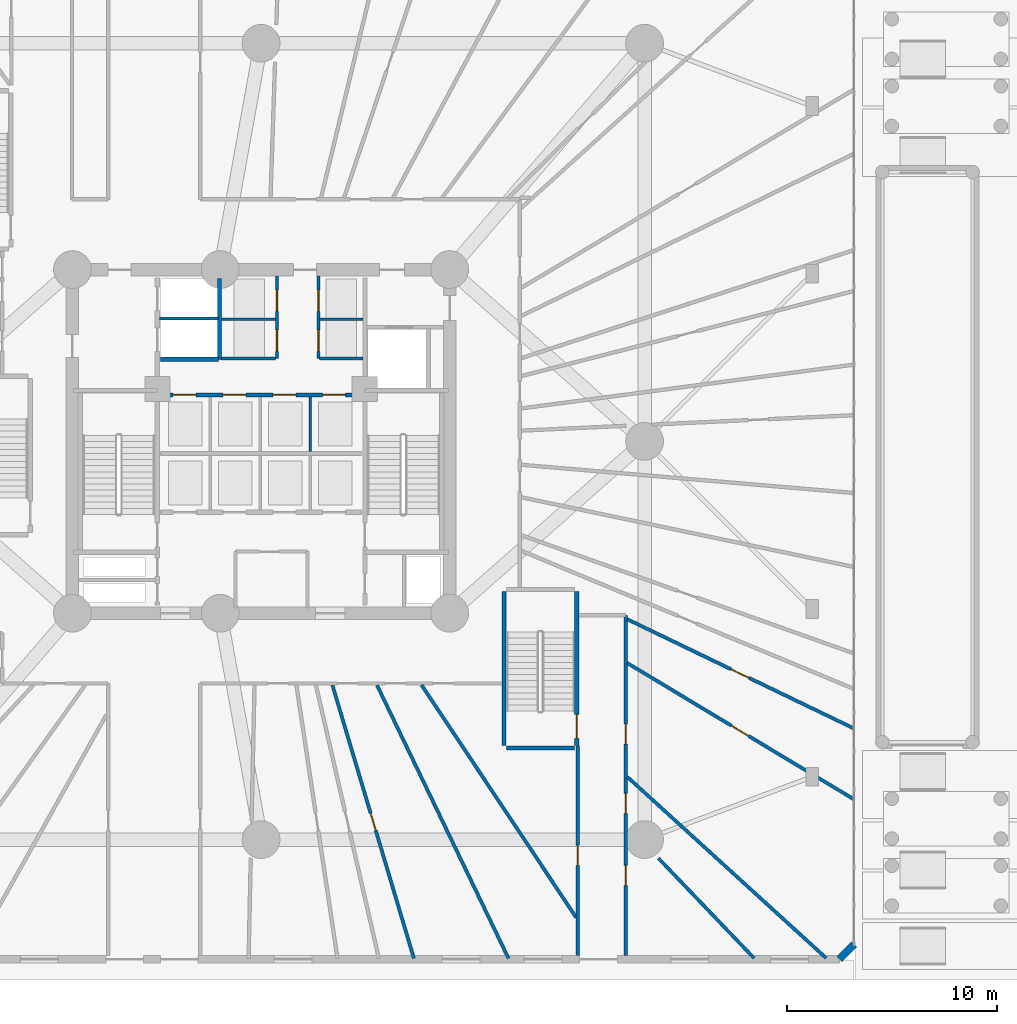
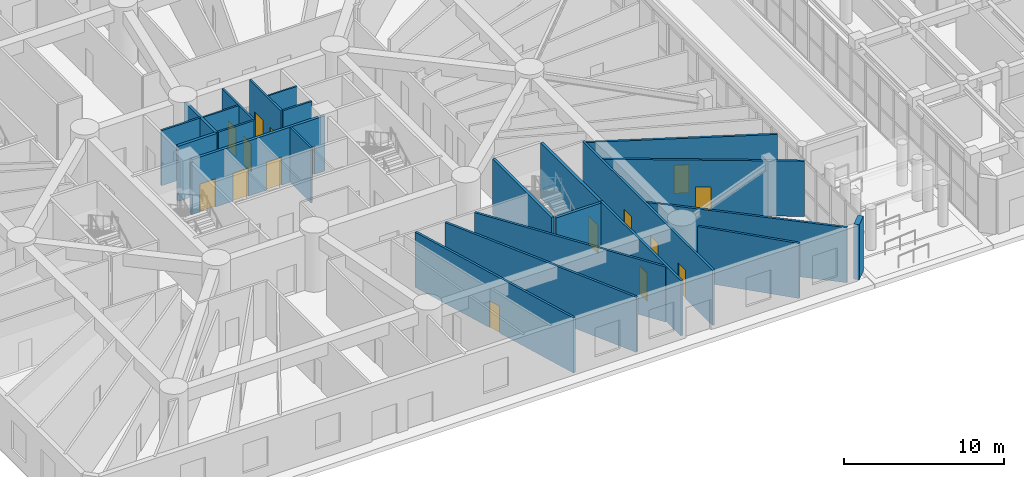
# One storey, part 16 of 30: 24 walls, 16 doors, 16 openings.
"""IFC4 building model written with IfcOpenShell, lengths in metres."""

from ifc_helpers import new_model, si_unit, direction, frame, frame_2d, origin, origin_with_axes, place, context, subcontext, project, spatial, rectangle, extrude, source, transform, mapped, material, layer, layer_set, type_object, element, fill, save


model = new_model("IFC4")

# Units and contexts
model_context = context("Model", 3, precision=1e-05, world=origin(), true_north=direction((0.0, 1.0)))
body_context = subcontext(model_context, "Body", "Model", "MODEL_VIEW")
ifc_project = project(units=[si_unit("LENGTHUNIT", "METRE"), si_unit("AREAUNIT", "SQUARE_METRE"), si_unit("VOLUMEUNIT", "CUBIC_METRE"), si_unit("PLANEANGLEUNIT", "RADIAN"), si_unit("MASSUNIT", "GRAM", prefix="KILO")], contexts=[model_context])

# Site, building, storey
site_placement = place(None, origin())
site = spatial("IfcSite", under=ifc_project, at=site_placement, CompositionType="ELEMENT")
building_placement = place(site_placement, origin())
building = spatial("IfcBuilding", under=site, at=building_placement, Name="Karkom Vertical University and Central Library", CompositionType="ELEMENT")
storey_placement = place(building_placement, origin())
storey = spatial("IfcBuildingStorey", under=building, at=storey_placement, Name="L00", CompositionType="ELEMENT", Elevation=0.0)

# Walls
ifc_material_1 = material(Name="Brick masonry 360mm insulated cavity", Category="masonry")
ifc_layer_1 = layer(ifc_material_1, 0.360107421875)
ifc_layer_set_1 = layer_set([ifc_layer_1], Name="Brick masonry 360mm insulated cavity")
wall_type_1 = type_object("IfcWallType", Name="ENV-WL-BRK-360", PredefinedType="SOLIDWALL", material=ifc_layer_set_1)
wall_1_placement = place(storey_placement, frame((56.10009765625, 1.800048828125, 0.0), z_axis=(0.0, 0.0, 1.0), x_axis=(0.707106781187, 0.707106781187, 0.0)))
element("IfcWall", 1, at=wall_1_placement, inside=storey, type_object=wall_type_1, Name="Level 00 POD Terracotta Brick Facade Wall 02", PredefinedType="SOLIDWALL", context=body_context, shape_type="SweptSolid", body=[
    extrude(rectangle(XDim=0.989990234375, YDim=0.360107421875, at=frame_2d((0.4951171875, 0.0))), origin(), (0.0, 0.0, 1.0), 4.199951171875),
])
ifc_material_2 = material(Name="Insulated metal-stud drywall 160mm", Category="gypsum")
ifc_layer_2 = layer(ifc_material_2, 0.159912109375)
ifc_layer_set_2 = layer_set([ifc_layer_2], Name="Insulated metal-stud drywall 160mm")
wall_type_2 = type_object("IfcWallType", Name="INT-WL-COR-160", PredefinedType="PARTITIONING", material=ifc_layer_set_2)
wall_2_placement = place(storey_placement, frame((34.032470703125, 14.867919921875, 0.0), z_axis=(0.0, 0.0, 1.0), x_axis=(0.433724291506, -0.901045636445, 0.0)))
element("IfcWall", 2, at=wall_2_placement, inside=storey, type_object=wall_type_2, Name="Level 00 Interior Partition Wall L00-PODW-15-16-1", PredefinedType="PARTITIONING", context=body_context, shape_type="SweptSolid", body=[
    extrude(rectangle(XDim=14.468017578125, YDim=0.159912109375, at=frame_2d((7.23388671875, 0.0))), origin(), (0.0, 0.0, 1.0), 4.199951171875),
])

# Wall, opening, door
wall_3_placement = place(storey_placement, frame((31.90576171875, 14.867919921875, 0.0), z_axis=(0.0, 0.0, 1.0), x_axis=(0.285757427195, -0.958301984138, 0.0)))
wall_3 = element("IfcWall", 3, at=wall_3_placement, inside=storey, type_object=wall_type_2, Name="Level 00 Interior Partition Wall L00-PODW-14-15-1", PredefinedType="PARTITIONING", context=body_context, shape_type="SweptSolid", body=[
    extrude(rectangle(XDim=13.607421875, YDim=0.159912109375, at=frame_2d((6.8037109375, 0.0))), origin(), (0.0, 0.0, 1.0), 4.199951171875),
])
opening_1_placement = place(wall_3_placement, frame((6.373779296875, 0.0, 0.0)))
opening_1 = element("IfcOpeningElement", 4, at=opening_1_placement, cuts=wall_3, Name="Opening FD-BTH2", PredefinedType="OPENING", context=body_context, shape_type="SweptSolid", body=[
    extrude(rectangle(XDim=0.860107421875, YDim=2.0400390625, at=frame_2d((0.43017578125, 1.02001953125))), frame((0.0, 0.08984375, 0.0), z_axis=(0.0, -1.0, 0.0), x_axis=(1.0, 0.0, 0.0)), (0.0, 0.0, 1.0), 0.179931640625),
])
ifc_material_3 = material(Name="Fire-rated moisture-resistant oak door", Category="wood")
door_type_1 = type_object("IfcDoorType", Name="INT-DR-FBTH2", OperationType="NOTDEFINED", PredefinedType="DOOR", material=ifc_material_3)
shared_shape_1 = source(origin_with_axes(), body_context, "Body", "SweptSolid", [
    extrude(rectangle(XDim=0.860107421875, YDim=2.0400390625, at=frame_2d((0.43017578125, 1.02001953125))), frame((0.0, 0.02490234375, 0.0), z_axis=(0.0, -1.0, 0.0), x_axis=(1.0, 0.0, 0.0)), (0.0, 0.0, 1.0), 0.050048828125),
])
door_1_placement = place(opening_1_placement, origin())
door_1 = element("IfcDoor", 5, at=door_1_placement, inside=storey, type_object=door_type_1, Name="Level 00 Graduate Studies Office Entry Door", OperationType="SINGLE_SWING_LEFT", OverallHeight=2.0400390625, OverallWidth=0.860107421875, PredefinedType="DOOR", context=body_context, shape_type="MappedRepresentation", body=[
    mapped(shared_shape_1, transform((0.0, 0.0, 0.0), scale=1.0)),
])
fill(opening_1, door_1)

# Walls
wall_4_placement = place(storey_placement, frame((36.15576171875, 14.880615234375, 0.0), z_axis=(0.0, 0.0, 1.0), x_axis=(0.553761322164, -0.832675445822, 0.0)))
element("IfcWall", 6, at=wall_4_placement, inside=storey, type_object=wall_type_2, Name="Level 00 Interior Partition Wall L00-PODW-16-17-1", PredefinedType="PARTITIONING", context=body_context, shape_type="SweptSolid", body=[
    extrude(rectangle(XDim=13.326904296875, YDim=0.159912109375, at=frame_2d((6.66357421875, 0.0))), origin(), (0.0, 0.0, 1.0), 4.199951171875),
])
wall_5_placement = place(storey_placement, frame((45.98193359375, 10.488037109375, 0.0), z_axis=(0.0, 0.0, 1.0), x_axis=(0.73914139053, -0.673550298646, 0.0)))
element("IfcWall", 7, at=wall_5_placement, inside=storey, type_object=wall_type_2, Name="Level 00 Interior Partition Wall L00-PODW-19-20-1", PredefinedType="PARTITIONING", context=body_context, shape_type="SweptSolid", body=[
    extrude(rectangle(XDim=12.830322265625, YDim=0.159912109375, at=frame_2d((6.4150390625, 0.0))), origin(), (0.0, 0.0, 1.0), 4.199951171875),
])

# Wall, opening, door
wall_6_placement = place(storey_placement, frame((45.968994140625, 15.927490234375, 0.0), z_axis=(0.0, 0.0, 1.0), x_axis=(0.857034319892, -0.515259327453, 0.0)))
wall_6 = element("IfcWall", 8, at=wall_6_placement, inside=storey, type_object=wall_type_2, Name="Level 00 Interior Partition Wall L00-PODW-20-21-1", PredefinedType="PARTITIONING", context=body_context, shape_type="SweptSolid", body=[
    extrude(rectangle(XDim=12.597900390625, YDim=0.159912109375, at=frame_2d((6.298828125, 0.0))), origin(), (0.0, 0.0, 1.0), 4.199951171875),
])
opening_2_placement = place(wall_6_placement, frame((5.798828125, 0.0, 0.0)))
opening_2 = element("IfcOpeningElement", 9, at=opening_2_placement, cuts=wall_6, Name="Opening FD-RM2", PredefinedType="OPENING", context=body_context, shape_type="SweptSolid", body=[
    extrude(rectangle(XDim=0.9599609375, YDim=2.14990234375, at=frame_2d((0.47998046875, 1.074951171875))), frame((0.0, 0.08984375, 0.0), z_axis=(0.0, -1.0, 0.0), x_axis=(1.0, 0.0, 0.0)), (0.0, 0.0, 1.0), 0.179931640625),
])
ifc_material_4 = material(Name="Fire-rated oak veneer door", Category="wood")
door_type_2 = type_object("IfcDoorType", Name="INT-DR-FRM2", OperationType="NOTDEFINED", PredefinedType="DOOR", material=ifc_material_4)
shared_shape_2 = source(origin_with_axes(), body_context, "Body", "SweptSolid", [
    extrude(rectangle(XDim=0.9599609375, YDim=2.14990234375, at=frame_2d((0.47998046875, 1.074951171875))), frame((0.0, 0.02490234375, 0.0), z_axis=(0.0, -1.0, 0.0), x_axis=(1.0, 0.0, 0.0)), (0.0, 0.0, 1.0), 0.050048828125),
])
door_2_placement = place(opening_2_placement, origin())
door_2 = element("IfcDoor", 10, at=door_2_placement, inside=storey, type_object=door_type_2, Name="Level 00 Room Entry Door 820", OperationType="SINGLE_SWING_LEFT", OverallHeight=2.14990234375, OverallWidth=0.9599609375, PredefinedType="DOOR", context=body_context, shape_type="MappedRepresentation", body=[
    mapped(shared_shape_2, transform((0.0, 0.0, 0.0), scale=1.0)),
])
fill(opening_2, door_2)

wall_7_placement = place(storey_placement, frame((45.968505859375, 18.016845703125, 0.0), z_axis=(0.0, 0.0, 1.0), x_axis=(0.900884595161, -0.434058689813, 0.0)))
wall_7 = element("IfcWall", 11, at=wall_7_placement, inside=storey, type_object=wall_type_2, Name="Level 00 Interior Partition Wall L00-PODW-21-22-1", PredefinedType="PARTITIONING", context=body_context, shape_type="SweptSolid", body=[
    extrude(rectangle(XDim=11.98828125, YDim=0.159912109375, at=frame_2d((5.994140625, 0.0))), origin(), (0.0, 0.0, 1.0), 4.199951171875),
])
opening_3_placement = place(wall_7_placement, frame((5.494140625, 0.0, 0.0)))
opening_3 = element("IfcOpeningElement", 12, at=opening_3_placement, cuts=wall_7, Name="Opening FD-RM2", PredefinedType="OPENING", context=body_context, shape_type="SweptSolid", body=[
    extrude(rectangle(XDim=0.9599609375, YDim=2.14990234375, at=frame_2d((0.47998046875, 1.074951171875))), frame((0.0, 0.08984375, 0.0), z_axis=(0.0, -1.0, 0.0), x_axis=(1.0, 0.0, 0.0)), (0.0, 0.0, 1.0), 0.179931640625),
])
door_3_placement = place(opening_3_placement, origin())
door_3 = element("IfcDoor", 13, at=door_3_placement, inside=storey, type_object=door_type_2, Name="Level 00 Room Entry Door 821", OperationType="SINGLE_SWING_RIGHT", OverallHeight=2.14990234375, OverallWidth=0.9599609375, PredefinedType="DOOR", context=body_context, shape_type="MappedRepresentation", body=[
    mapped(shared_shape_2, transform((0.0, 0.0, 0.0), scale=1.0)),
])
fill(opening_3, door_3)

# Wall
wall_8_placement = place(storey_placement, frame((47.4599609375, 6.610107421875, 0.0), z_axis=(0.0, 0.0, 1.0), x_axis=(0.69155014519, -0.722328454851, 0.0)))
element("IfcWall", 14, at=wall_8_placement, inside=storey, type_object=wall_type_2, Name="Level 00 Interior Partition Wall L00-PODW-18-19-1", PredefinedType="PARTITIONING", context=body_context, shape_type="SweptSolid", body=[
    extrude(rectangle(XDim=6.599609375, YDim=0.159912109375, at=frame_2d((3.2998046875, 0.0))), origin(), (0.0, 0.0, 1.0), 4.199951171875),
])

# Wall, openings, doors
ifc_layer_3 = layer(ifc_material_2, 0.159912109375)
ifc_layer_set_3 = layer_set([ifc_layer_3], Name="Insulated metal-stud drywall 160mm")
wall_type_3 = type_object("IfcWallType", Name="INT-WL-COR-160F", PredefinedType="PARTITIONING", material=ifc_layer_set_3)
wall_9_placement = place(storey_placement, frame((45.89990234375, 18.199951171875, 0.0), z_axis=(0.0, 0.0, 1.0), x_axis=(0.0, -1.0, 0.0)))
wall_9 = element("IfcWall", 15, at=wall_9_placement, inside=storey, type_object=wall_type_3, Name="Level 00 Interior Partition Wall L00-PDCW-CW-019", PredefinedType="PARTITIONING", context=body_context, shape_type="SweptSolid", body=[
    extrude(rectangle(XDim=16.23486328125, YDim=0.159912109375, at=frame_2d((8.117431640625, 0.0))), origin(), (0.0, 0.0, 1.0), 4.199951171875),
])
opening_4_placement = place(wall_9_placement, frame((11.93505859375, 0.0, 0.0)))
opening_4 = element("IfcOpeningElement", 16, at=opening_4_placement, cuts=wall_9, Name="Opening FD-RM2", PredefinedType="OPENING", context=body_context, shape_type="SweptSolid", body=[
    extrude(rectangle(XDim=0.9599609375, YDim=2.14990234375, at=frame_2d((0.47998046875, 1.074951171875))), frame((0.0, 0.08984375, 0.0), z_axis=(0.0, -1.0, 0.0), x_axis=(1.0, 0.0, 0.0)), (0.0, 0.0, 1.0), 0.179931640625),
])
opening_5_placement = place(wall_9_placement, frame((8.4951171875, 0.0, 0.0)))
opening_5 = element("IfcOpeningElement", 17, at=opening_5_placement, cuts=wall_9, Name="Opening FD-RM2", PredefinedType="OPENING", context=body_context, shape_type="SweptSolid", body=[
    extrude(rectangle(XDim=0.9599609375, YDim=2.14990234375, at=frame_2d((0.47998046875, 1.074951171875))), frame((0.0, 0.08984375, 0.0), z_axis=(0.0, -1.0, 0.0), x_axis=(1.0, 0.0, 0.0)), (0.0, 0.0, 1.0), 0.179931640625),
])
opening_6_placement = place(wall_9_placement, frame((5.180908203125, 0.0, 0.0)))
opening_6 = element("IfcOpeningElement", 18, at=opening_6_placement, cuts=wall_9, Name="Opening FD-RM2", PredefinedType="OPENING", context=body_context, shape_type="SweptSolid", body=[
    extrude(rectangle(XDim=0.9599609375, YDim=2.14990234375, at=frame_2d((0.47998046875, 1.074951171875))), frame((0.0, 0.08984375, 0.0), z_axis=(0.0, -1.0, 0.0), x_axis=(1.0, 0.0, 0.0)), (0.0, 0.0, 1.0), 0.179931640625),
])
door_4_placement = place(opening_4_placement, origin())
door_4 = element("IfcDoor", 19, at=door_4_placement, inside=storey, type_object=door_type_2, Name="Level 00 Room Entry Door 817", OperationType="SINGLE_SWING_RIGHT", OverallHeight=2.14990234375, OverallWidth=0.9599609375, PredefinedType="DOOR", context=body_context, shape_type="MappedRepresentation", body=[
    mapped(shared_shape_2, transform((0.0, 0.0, 0.0), scale=1.0)),
])
fill(opening_4, door_4)
door_5_placement = place(opening_5_placement, origin())
door_5 = element("IfcDoor", 20, at=door_5_placement, inside=storey, type_object=door_type_2, Name="Level 00 Room Entry Door 818", OperationType="SINGLE_SWING_LEFT", OverallHeight=2.14990234375, OverallWidth=0.9599609375, PredefinedType="DOOR", context=body_context, shape_type="MappedRepresentation", body=[
    mapped(shared_shape_2, transform((0.0, 0.0, 0.0), scale=1.0)),
])
fill(opening_5, door_5)
door_6_placement = place(opening_6_placement, origin())
door_6 = element("IfcDoor", 21, at=door_6_placement, inside=storey, type_object=door_type_2, Name="Level 00 Room Entry Door 819", OperationType="SINGLE_SWING_RIGHT", OverallHeight=2.14990234375, OverallWidth=0.9599609375, PredefinedType="DOOR", context=body_context, shape_type="MappedRepresentation", body=[
    mapped(shared_shape_2, transform((0.0, 0.0, 0.0), scale=1.0)),
])
fill(opening_6, door_6)

# Wall, opening, door
wall_10_placement = place(storey_placement, frame((43.619873046875, 1.965087890625, 0.0), z_axis=(0.0, 0.0, 1.0), x_axis=(-0.001219154463, 0.999999256831, 0.0)))
wall_10 = element("IfcWall", 22, at=wall_10_placement, inside=storey, type_object=wall_type_3, Name="Level 00 Interior Partition Wall L00-PDCW-CW-020", PredefinedType="PARTITIONING", context=body_context, shape_type="SweptSolid", body=[
    extrude(rectangle(XDim=10.0126953125, YDim=0.159912109375, at=frame_2d((5.00634765625, 0.0))), origin(), (0.0, 0.0, 1.0), 4.199951171875),
])
opening_7_placement = place(wall_10_placement, frame((4.304931640625, 0.0, 0.0)))
opening_7 = element("IfcOpeningElement", 23, at=opening_7_placement, cuts=wall_10, Name="Opening FD-RM2", PredefinedType="OPENING", context=body_context, shape_type="SweptSolid", body=[
    extrude(rectangle(XDim=0.9599609375, YDim=2.14990234375, at=frame_2d((0.47998046875, 1.074951171875))), frame((0.0, 0.08984375, 0.0), z_axis=(0.0, -1.0, 0.0), x_axis=(1.0, 0.0, 0.0)), (0.0, 0.0, 1.0), 0.179931640625),
])
door_7_placement = place(opening_7_placement, origin())
door_7 = element("IfcDoor", 24, at=door_7_placement, inside=storey, type_object=door_type_2, Name="Level 00 Room Entry Door 816", OperationType="SINGLE_SWING_LEFT", OverallHeight=2.14990234375, OverallWidth=0.9599609375, PredefinedType="DOOR", context=body_context, shape_type="MappedRepresentation", body=[
    mapped(shared_shape_2, transform((0.0, 0.0, 0.0), scale=1.0)),
])
fill(opening_7, door_7)

# Walls
ifc_material_5 = material(Name="Moisture-resistant drywall 120mm", Category="gypsum")
ifc_layer_4 = layer(ifc_material_5, 0.1201171875)
ifc_layer_set_4 = layer_set([ifc_layer_4], Name="Moisture-resistant drywall 120mm")
wall_type_4 = type_object("IfcWallType", Name="INT-WL-INT-120H", PredefinedType="PARTITIONING", material=ifc_layer_set_4)
wall_11_placement = place(storey_placement, frame((30.840087890625, 26.02001953125, 0.0), z_axis=(0.0, 0.0, 1.0), x_axis=(0.0, 1.0, 0.0)))
element("IfcWall", 25, at=wall_11_placement, inside=storey, type_object=wall_type_4, Name="Level 00 Interior Partition Wall L00-CW-PM-DIV3", PredefinedType="PARTITIONING", context=body_context, shape_type="SweptSolid", body=[
    extrude(rectangle(XDim=2.60009765625, YDim=0.1201171875, at=frame_2d((1.300048828125, 0.0))), origin(), (0.0, 0.0, 1.0), 4.199951171875),
])
wall_12_placement = place(storey_placement, frame((26.6201171875, 32.320068359375, 0.0), z_axis=(0.0, 0.0, 1.0), x_axis=(1.0, 0.0, 0.0)))
element("IfcWall", 26, at=wall_12_placement, inside=storey, type_object=wall_type_4, Name="Level 00 Interior Partition Wall L00-CW-PH-MW", PredefinedType="PARTITIONING", context=body_context, shape_type="SweptSolid", body=[
    extrude(rectangle(XDim=2.579833984375, YDim=0.1201171875, at=frame_2d((1.2900390625, 0.0))), origin(), (0.0, 0.0, 1.0), 4.199951171875),
])
wall_13_placement = place(storey_placement, frame((31.300048828125, 32.320068359375, 0.0), z_axis=(0.0, 0.0, 1.0), x_axis=(1.0, 0.0, 0.0)))
element("IfcWall", 27, at=wall_13_placement, inside=storey, type_object=wall_type_4, Name="Level 00 Interior Partition Wall L00-CW-PH-ME", PredefinedType="PARTITIONING", context=body_context, shape_type="SweptSolid", body=[
    extrude(rectangle(XDim=2.074951171875, YDim=0.1201171875, at=frame_2d((1.03759765625, 0.0))), origin(), (0.0, 0.0, 1.0), 4.199951171875),
])

# Wall, openings, doors
ifc_material_6 = material(Name="Metal-stud gypsum partition 140mm", Category="gypsum")
ifc_layer_5 = layer(ifc_material_6, 0.139892578125)
ifc_layer_set_5 = layer_set([ifc_layer_5], Name="Metal-stud gypsum partition 140mm")
wall_type_5 = type_object("IfcWallType", Name="INT-WL-SUB-140H", PredefinedType="PARTITIONING", material=ifc_layer_set_5)
wall_14_placement = place(storey_placement, frame((29.260009765625, 30.449951171875, 0.0), z_axis=(0.0, 0.0, 1.0), x_axis=(0.0, 1.0, 0.0)))
wall_14 = element("IfcWall", 28, at=wall_14_placement, inside=storey, type_object=wall_type_5, Name="Level 00 Interior Partition Wall L00-CW-PH-W", PredefinedType="PARTITIONING", context=body_context, shape_type="SweptSolid", body=[
    extrude(rectangle(XDim=3.943115234375, YDim=0.139892578125, at=frame_2d((1.9716796875, 0.0))), origin(), (0.0, 0.0, 1.0), 4.199951171875),
])
opening_8_placement = place(wall_14_placement, frame((0.35009765625, 0.0, 0.0)))
opening_8 = element("IfcOpeningElement", 29, at=opening_8_placement, cuts=wall_14, Name="Opening LD-PH", PredefinedType="OPENING", context=body_context, shape_type="SweptSolid", body=[
    extrude(rectangle(XDim=1.02001953125, YDim=2.14990234375, at=frame_2d((0.510009765625, 1.074951171875))), frame((0.0, 0.080078125, 0.0), z_axis=(0.0, -1.0, 0.0), x_axis=(1.0, 0.0, 0.0)), (0.0, 0.0, 1.0), 0.159912109375),
])
opening_9_placement = place(wall_14_placement, frame((2.25, 0.0, 0.0)))
opening_9 = element("IfcOpeningElement", 30, at=opening_9_placement, cuts=wall_14, Name="Opening LD-PH", PredefinedType="OPENING", context=body_context, shape_type="SweptSolid", body=[
    extrude(rectangle(XDim=1.02001953125, YDim=2.14990234375, at=frame_2d((0.510009765625, 1.074951171875))), frame((0.0, 0.080078125, 0.0), z_axis=(0.0, -1.0, 0.0), x_axis=(1.0, 0.0, 0.0)), (0.0, 0.0, 1.0), 0.159912109375),
])
ifc_material_7 = material(Name="Brushed stainless-steel landing door", Category="steel")
door_type_3 = type_object("IfcDoorType", Name="INT-DR-LD-PH", OperationType="SLIDING_TO_LEFT", PredefinedType="DOOR", material=ifc_material_7)
shared_shape_3 = source(origin_with_axes(), body_context, "Body", "SweptSolid", [
    extrude(rectangle(XDim=1.02001953125, YDim=2.14990234375, at=frame_2d((0.510009765625, 1.074951171875))), frame((0.0, 0.02490234375, 0.0), z_axis=(0.0, -1.0, 0.0), x_axis=(1.0, 0.0, 0.0)), (0.0, 0.0, 1.0), 0.050048828125),
])
door_8_placement = place(opening_8_placement, origin())
door_8 = element("IfcDoor", 31, at=door_8_placement, inside=storey, type_object=door_type_3, Name="Level 00 Lift PH-1 Landing Door", OperationType="SLIDING_TO_LEFT", OverallHeight=2.14990234375, OverallWidth=1.02001953125, PredefinedType="DOOR", context=body_context, shape_type="MappedRepresentation", body=[
    mapped(shared_shape_3, transform((0.0, 0.0, 0.0), scale=1.0)),
])
fill(opening_8, door_8)
door_9_placement = place(opening_9_placement, origin())
door_9 = element("IfcDoor", 32, at=door_9_placement, inside=storey, type_object=door_type_3, Name="Level 00 Lift PH-2 Landing Door", OperationType="SLIDING_TO_LEFT", OverallHeight=2.14990234375, OverallWidth=1.02001953125, PredefinedType="DOOR", context=body_context, shape_type="MappedRepresentation", body=[
    mapped(shared_shape_3, transform((0.0, 0.0, 0.0), scale=1.0)),
])
fill(opening_9, door_9)

wall_15_placement = place(storey_placement, frame((31.239990234375, 30.449951171875, 0.0), z_axis=(0.0, 0.0, 1.0), x_axis=(0.0, 1.0, 0.0)))
wall_15 = element("IfcWall", 33, at=wall_15_placement, inside=storey, type_object=wall_type_5, Name="Level 00 Interior Partition Wall L00-CW-PH-E", PredefinedType="PARTITIONING", context=body_context, shape_type="SweptSolid", body=[
    extrude(rectangle(XDim=3.943115234375, YDim=0.139892578125, at=frame_2d((1.9716796875, 0.0))), origin(), (0.0, 0.0, 1.0), 4.199951171875),
])
opening_10_placement = place(wall_15_placement, frame((0.35009765625, 0.0, 0.0)))
opening_10 = element("IfcOpeningElement", 34, at=opening_10_placement, cuts=wall_15, Name="Opening LD-PH", PredefinedType="OPENING", context=body_context, shape_type="SweptSolid", body=[
    extrude(rectangle(XDim=1.02001953125, YDim=2.14990234375, at=frame_2d((0.510009765625, 1.074951171875))), frame((0.0, 0.080078125, 0.0), z_axis=(0.0, -1.0, 0.0), x_axis=(1.0, 0.0, 0.0)), (0.0, 0.0, 1.0), 0.159912109375),
])
opening_11_placement = place(wall_15_placement, frame((2.25, 0.0, 0.0)))
opening_11 = element("IfcOpeningElement", 35, at=opening_11_placement, cuts=wall_15, Name="Opening LD-PH", PredefinedType="OPENING", context=body_context, shape_type="SweptSolid", body=[
    extrude(rectangle(XDim=1.02001953125, YDim=2.14990234375, at=frame_2d((0.510009765625, 1.074951171875))), frame((0.0, 0.080078125, 0.0), z_axis=(0.0, -1.0, 0.0), x_axis=(1.0, 0.0, 0.0)), (0.0, 0.0, 1.0), 0.159912109375),
])
door_10_placement = place(opening_10_placement, origin())
door_10 = element("IfcDoor", 36, at=door_10_placement, inside=storey, type_object=door_type_3, Name="Level 00 Lift PH-3 Landing Door", OperationType="SLIDING_TO_LEFT", OverallHeight=2.14990234375, OverallWidth=1.02001953125, PredefinedType="DOOR", context=body_context, shape_type="MappedRepresentation", body=[
    mapped(shared_shape_3, transform((0.0, 0.0, 0.0), scale=1.0)),
])
fill(opening_10, door_10)
door_11_placement = place(opening_11_placement, origin())
door_11 = element("IfcDoor", 37, at=door_11_placement, inside=storey, type_object=door_type_3, Name="Level 00 Lift PH-4 Landing Door", OperationType="SLIDING_TO_LEFT", OverallHeight=2.14990234375, OverallWidth=1.02001953125, PredefinedType="DOOR", context=body_context, shape_type="MappedRepresentation", body=[
    mapped(shared_shape_3, transform((0.0, 0.0, 0.0), scale=1.0)),
])
fill(opening_11, door_11)

# Walls
wall_16_placement = place(storey_placement, frame((26.6201171875, 30.449951171875, 0.0), z_axis=(0.0, 0.0, 1.0), x_axis=(1.0, 0.0, 0.0)))
element("IfcWall", 38, at=wall_16_placement, inside=storey, type_object=wall_type_5, Name="Level 00 Interior Partition Wall L00-CW-PH-S1", PredefinedType="PARTITIONING", context=body_context, shape_type="SweptSolid", body=[
    extrude(rectangle(XDim=2.579833984375, YDim=0.139892578125, at=frame_2d((1.2900390625, 0.0))), origin(), (0.0, 0.0, 1.0), 4.199951171875),
])
wall_17_placement = place(storey_placement, frame((31.300048828125, 30.449951171875, 0.0), z_axis=(0.0, 0.0, 1.0), x_axis=(1.0, 0.0, 0.0)))
element("IfcWall", 39, at=wall_17_placement, inside=storey, type_object=wall_type_5, Name="Level 00 Interior Partition Wall L00-CW-PH-S2", PredefinedType="PARTITIONING", context=body_context, shape_type="SweptSolid", body=[
    extrude(rectangle(XDim=2.074951171875, YDim=0.139892578125, at=frame_2d((1.03759765625, 0.0))), origin(), (0.0, 0.0, 1.0), 4.199951171875),
])
ifc_layer_6 = layer(ifc_material_6, 0.139892578125)
ifc_layer_set_6 = layer_set([ifc_layer_6], Name="Metal-stud gypsum partition 140mm")
wall_type_6 = type_object("IfcWallType", Name="INT-WL-SUB-140X", PredefinedType="PARTITIONING", material=ifc_layer_set_6)
wall_18_placement = place(storey_placement, frame((23.652099609375, 32.3701171875, 0.0), z_axis=(0.0, 0.0, 1.0), x_axis=(1.0, 0.0, 0.0)))
element("IfcWall", 40, at=wall_18_placement, inside=storey, type_object=wall_type_6, Name="Level 00 Interior Partition Wall L00-CW-FFL-M", PredefinedType="PARTITIONING", context=body_context, shape_type="SweptSolid", body=[
    extrude(rectangle(XDim=2.827880859375, YDim=0.139892578125, at=frame_2d((1.4140625, 0.0))), origin(), (0.0, 0.0, 1.0), 4.199951171875),
])

# Wall, openings, doors
ifc_material_8 = material(Name="Concrete C45/55", Category="concrete")
ifc_layer_7 = layer(ifc_material_8, 0.199951171875)
ifc_layer_set_7 = layer_set([ifc_layer_7], Name="Concrete C45/55")
wall_type_7 = type_object("IfcWallType", Name="STR-WL-ST-200", PredefinedType="SHEAR", material=ifc_layer_set_7)
wall_19_placement = place(storey_placement, frame((23.699951171875, 28.719970703125, 0.0), z_axis=(0.0, 0.0, 1.0), x_axis=(1.0, 0.0, 0.0)))
wall_19 = element("IfcWall", 41, at=wall_19_placement, inside=storey, type_object=wall_type_7, Name="Level 00 Core Shaft Wall L00-CW-B2-N", PredefinedType="SHEAR", context=body_context, shape_type="SweptSolid", body=[
    extrude(rectangle(XDim=9.60009765625, YDim=0.199951171875, at=frame_2d((4.800048828125, 0.0))), origin(), (0.0, 0.0, 1.0), 4.199951171875),
])
opening_12_placement = place(wall_19_placement, frame((0.60009765625, 0.0, 0.0)))
opening_12 = element("IfcOpeningElement", 42, at=opening_12_placement, cuts=wall_19, Name="Opening LD-PAX", PredefinedType="OPENING", context=body_context, shape_type="SweptSolid", body=[
    extrude(rectangle(XDim=1.10009765625, YDim=2.14990234375, at=frame_2d((0.550048828125, 1.074951171875))), frame((0.0, 0.10986328125, 0.0), z_axis=(0.0, -1.0, 0.0), x_axis=(1.0, 0.0, 0.0)), (0.0, 0.0, 1.0), 0.219970703125),
])
opening_13_placement = place(wall_19_placement, frame((2.97998046875, 0.0, 0.0)))
opening_13 = element("IfcOpeningElement", 43, at=opening_13_placement, cuts=wall_19, Name="Opening LD-PAX", PredefinedType="OPENING", context=body_context, shape_type="SweptSolid", body=[
    extrude(rectangle(XDim=1.10009765625, YDim=2.14990234375, at=frame_2d((0.550048828125, 1.074951171875))), frame((0.0, 0.10986328125, 0.0), z_axis=(0.0, -1.0, 0.0), x_axis=(1.0, 0.0, 0.0)), (0.0, 0.0, 1.0), 0.219970703125),
])
opening_14_placement = place(wall_19_placement, frame((5.360107421875, 0.0, 0.0)))
opening_14 = element("IfcOpeningElement", 44, at=opening_14_placement, cuts=wall_19, Name="Opening LD-PAX", PredefinedType="OPENING", context=body_context, shape_type="SweptSolid", body=[
    extrude(rectangle(XDim=1.10009765625, YDim=2.14990234375, at=frame_2d((0.550048828125, 1.074951171875))), frame((0.0, 0.10986328125, 0.0), z_axis=(0.0, -1.0, 0.0), x_axis=(1.0, 0.0, 0.0)), (0.0, 0.0, 1.0), 0.219970703125),
])
opening_15_placement = place(wall_19_placement, frame((7.739990234375, 0.0, 0.0)))
opening_15 = element("IfcOpeningElement", 45, at=opening_15_placement, cuts=wall_19, Name="Opening LD-PAX", PredefinedType="OPENING", context=body_context, shape_type="SweptSolid", body=[
    extrude(rectangle(XDim=1.10009765625, YDim=2.14990234375, at=frame_2d((0.550048828125, 1.074951171875))), frame((0.0, 0.10986328125, 0.0), z_axis=(0.0, -1.0, 0.0), x_axis=(1.0, 0.0, 0.0)), (0.0, 0.0, 1.0), 0.219970703125),
])
door_type_4 = type_object("IfcDoorType", Name="INT-DR-LD-PAX", OperationType="SLIDING_TO_LEFT", PredefinedType="DOOR", material=ifc_material_7)
shared_shape_4 = source(origin_with_axes(), body_context, "Body", "SweptSolid", [
    extrude(rectangle(XDim=1.10009765625, YDim=2.14990234375, at=frame_2d((0.550048828125, 1.074951171875))), frame((0.0, 0.02490234375, 0.0), z_axis=(0.0, -1.0, 0.0), x_axis=(1.0, 0.0, 0.0)), (0.0, 0.0, 1.0), 0.050048828125),
])
door_12_placement = place(opening_12_placement, origin())
door_12 = element("IfcDoor", 46, at=door_12_placement, inside=storey, type_object=door_type_4, Name="Level 00 Lift PM-1 Landing Door", OperationType="SLIDING_TO_LEFT", OverallHeight=2.14990234375, OverallWidth=1.10009765625, PredefinedType="DOOR", context=body_context, shape_type="MappedRepresentation", body=[
    mapped(shared_shape_4, transform((0.0, 0.0, 0.0), scale=1.0)),
])
fill(opening_12, door_12)
door_13_placement = place(opening_13_placement, origin())
door_13 = element("IfcDoor", 47, at=door_13_placement, inside=storey, type_object=door_type_4, Name="Level 00 Lift PM-2 Landing Door", OperationType="SLIDING_TO_RIGHT", OverallHeight=2.14990234375, OverallWidth=1.10009765625, PredefinedType="DOOR", context=body_context, shape_type="MappedRepresentation", body=[
    mapped(shared_shape_4, transform((0.0, 0.0, 0.0), scale=1.0)),
])
fill(opening_13, door_13)
door_14_placement = place(opening_14_placement, origin())
door_14 = element("IfcDoor", 48, at=door_14_placement, inside=storey, type_object=door_type_4, Name="Level 00 Lift PM-3 Landing Door", OperationType="SLIDING_TO_LEFT", OverallHeight=2.14990234375, OverallWidth=1.10009765625, PredefinedType="DOOR", context=body_context, shape_type="MappedRepresentation", body=[
    mapped(shared_shape_4, transform((0.0, 0.0, 0.0), scale=1.0)),
])
fill(opening_14, door_14)
door_15_placement = place(opening_15_placement, origin())
door_15 = element("IfcDoor", 49, at=door_15_placement, inside=storey, type_object=door_type_4, Name="Level 00 Lift PM-4 Landing Door", OperationType="SLIDING_TO_RIGHT", OverallHeight=2.14990234375, OverallWidth=1.10009765625, PredefinedType="DOOR", context=body_context, shape_type="MappedRepresentation", body=[
    mapped(shared_shape_4, transform((0.0, 0.0, 0.0), scale=1.0)),
])
fill(opening_15, door_15)

# Wall
wall_20_placement = place(storey_placement, frame((40.094970703125, 11.97998046875, 0.0), z_axis=(0.0, 0.0, 1.0), x_axis=(0.0, 1.0, 0.0)))
element("IfcWall", 50, at=wall_20_placement, inside=storey, type_object=wall_type_7, Name="Level 00 Core Shaft Wall L00-W-POD1-W", PredefinedType="SHEAR", context=body_context, shape_type="SweptSolid", body=[
    extrude(rectangle(XDim=7.35009765625, YDim=0.199951171875, at=frame_2d((3.675048828125, 0.0))), origin(), (0.0, 0.0, 1.0), 4.199951171875),
])

# Wall, opening, door
wall_21_placement = place(storey_placement, frame((43.56494140625, 11.97998046875, 0.0), z_axis=(0.0, 0.0, 1.0), x_axis=(0.0, 1.0, 0.0)))
wall_21 = element("IfcWall", 51, at=wall_21_placement, inside=storey, type_object=wall_type_7, Name="Level 00 Core Shaft Wall L00-W-POD1-E", PredefinedType="SHEAR", context=body_context, shape_type="SweptSolid", body=[
    extrude(rectangle(XDim=7.35009765625, YDim=0.199951171875, at=frame_2d((3.675048828125, 0.0))), origin(), (0.0, 0.0, 1.0), 4.199951171875),
])
opening_16_placement = place(wall_21_placement, frame((0.35009765625, 0.0, 0.0)))
opening_16 = element("IfcOpeningElement", 52, at=opening_16_placement, cuts=wall_21, Name="Opening FD-ST1", PredefinedType="OPENING", context=body_context, shape_type="SweptSolid", body=[
    extrude(rectangle(XDim=1.14990234375, YDim=2.14990234375, at=frame_2d((0.574951171875, 1.074951171875))), frame((0.0, 0.10986328125, 0.0), z_axis=(0.0, -1.0, 0.0), x_axis=(1.0, 0.0, 0.0)), (0.0, 0.0, 1.0), 0.219970703125),
])
ifc_material_9 = material(Name="Painted steel acoustic fire door", Category="steel")
door_type_5 = type_object("IfcDoorType", Name="INT-DR-ST1", OperationType="NOTDEFINED", PredefinedType="DOOR", material=ifc_material_9)
shared_shape_5 = source(origin_with_axes(), body_context, "Body", "SweptSolid", [
    extrude(rectangle(XDim=1.14990234375, YDim=2.14990234375, at=frame_2d((0.574951171875, 1.074951171875))), frame((0.0, 0.02490234375, 0.0), z_axis=(0.0, -1.0, 0.0), x_axis=(1.0, 0.0, 0.0)), (0.0, 0.0, 1.0), 0.050048828125),
])
door_16_placement = place(opening_16_placement, origin())
door_16 = element("IfcDoor", 53, at=door_16_placement, inside=storey, type_object=door_type_5, Name="Level 00 POD1 Stair Door", OperationType="SINGLE_SWING_RIGHT", OverallHeight=2.14990234375, OverallWidth=1.14990234375, PredefinedType="DOOR", context=body_context, shape_type="MappedRepresentation", body=[
    mapped(shared_shape_5, transform((0.0, 0.0, 0.0), scale=1.0)),
])
fill(opening_16, door_16)

# Walls
wall_22_placement = place(storey_placement, frame((26.52001953125, 30.419921875, 0.0), z_axis=(0.0, 0.0, 1.0), x_axis=(0.0, 1.0, 0.0)))
element("IfcWall", 54, at=wall_22_placement, inside=storey, type_object=wall_type_7, Name="Level 00 Core Shaft Wall L00-CW-FFL-E", PredefinedType="SHEAR", context=body_context, shape_type="SweptSolid", body=[
    extrude(rectangle(XDim=3.860107421875, YDim=0.199951171875, at=frame_2d((1.93017578125, 0.0))), origin(), (0.0, 0.0, 1.0), 4.199951171875),
])
wall_23_placement = place(storey_placement, frame((40.199951171875, 11.875, 0.0), z_axis=(0.0, 0.0, 1.0), x_axis=(1.0, 0.0, 0.0)))
element("IfcWall", 55, at=wall_23_placement, inside=storey, type_object=wall_type_7, Name="Level 00 Core Shaft Wall L00-W-POD1-S", PredefinedType="SHEAR", context=body_context, shape_type="SweptSolid", body=[
    extrude(rectangle(XDim=3.260009765625, YDim=0.199951171875, at=frame_2d((1.6298828125, 0.0))), origin(), (0.0, 0.0, 1.0), 4.199951171875),
])
wall_24_placement = place(storey_placement, frame((23.699951171875, 30.419921875, 0.0), z_axis=(0.0, 0.0, 1.0), x_axis=(1.0, 0.0, 0.0)))
element("IfcWall", 56, at=wall_24_placement, inside=storey, type_object=wall_type_7, Name="Level 00 Core Shaft Wall L00-CW-FFL-S", PredefinedType="SHEAR", context=body_context, shape_type="SweptSolid", body=[
    extrude(rectangle(XDim=2.780029296875, YDim=0.199951171875, at=frame_2d((1.39013671875, 0.0))), origin(), (0.0, 0.0, 1.0), 4.199951171875),
])

save(model, "model.ifc")
